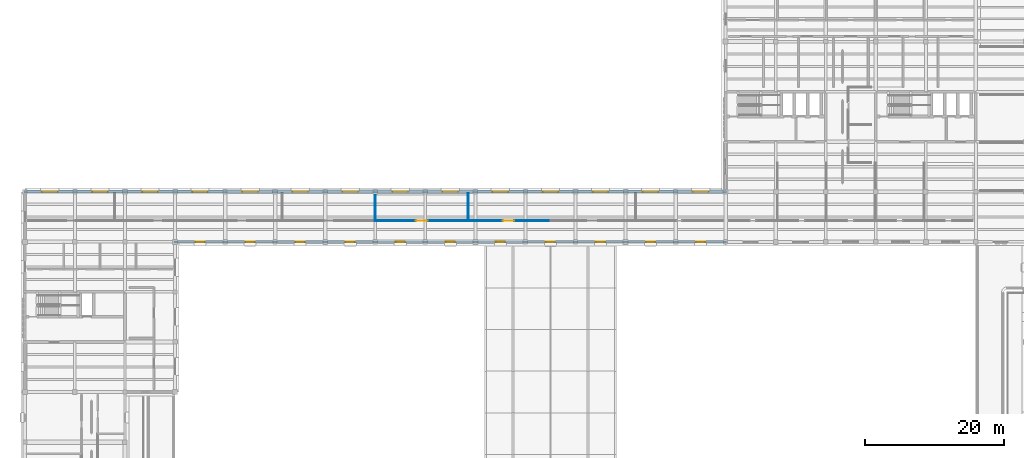
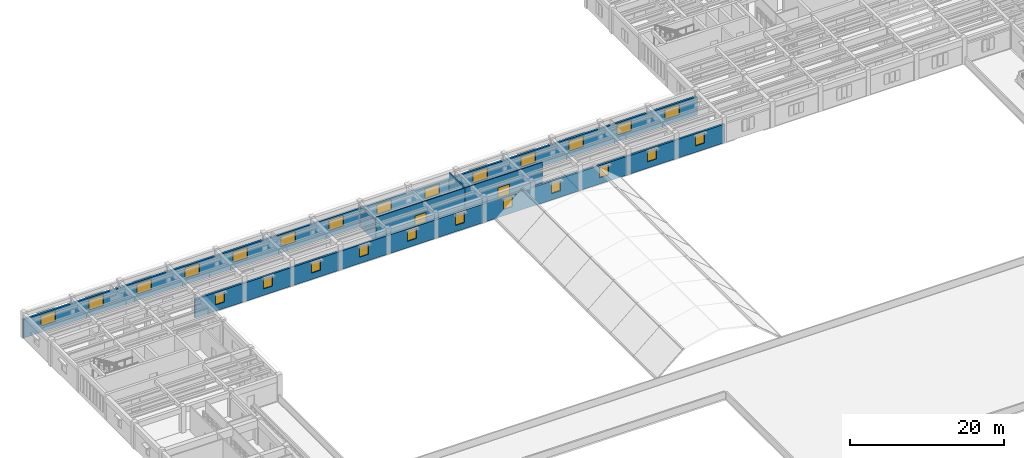
# One storey, part 23 of 40: 25 windows, 6 walls, 2 doors, 27 openings.
"""IFC4 building model written with IfcOpenShell, lengths in metres."""

from ifc_helpers import new_model, si_unit, direction, frame, frame_2d, origin, place, context, subcontext, project, spatial, rectangle, extrude, material, layer, layer_set, type_object, element, fill, save


model = new_model("IFC4")

# Units and contexts
model_context = context("Model", 3, precision=1e-05, world=origin(), true_north=direction((0.0, 1.0)))
body_context = subcontext(model_context, "Body", "Model", "MODEL_VIEW")
ifc_project = project(units=[si_unit("LENGTHUNIT", "METRE"), si_unit("AREAUNIT", "SQUARE_METRE"), si_unit("VOLUMEUNIT", "CUBIC_METRE"), si_unit("PLANEANGLEUNIT", "RADIAN"), si_unit("MASSUNIT", "GRAM", prefix="KILO")], contexts=[model_context])

# Site, building, storey
site_placement = place(None, origin())
site = spatial("IfcSite", under=ifc_project, at=site_placement, CompositionType="ELEMENT")
building_placement = place(site_placement, origin())
building = spatial("IfcBuilding", under=site, at=building_placement, Name="Mithqara Police Headquarters", CompositionType="ELEMENT")
storey_placement = place(building_placement, frame((0.0, 0.0, 13.800048828125)))
storey = spatial("IfcBuildingStorey", under=building, at=storey_placement, Name="L03", CompositionType="ELEMENT", Elevation=13.800048828125)

# Wall, openings, windows
ifc_material_1 = material(Name="Ochre masonry cavity wall, 35 MPa", Category="masonry")
ifc_layer_1 = layer(ifc_material_1, 0.300048828125, Name="Ochre masonry cavity wall, 35 MPa")
ifc_layer_set_1 = layer_set([ifc_layer_1], Name="Ochre masonry cavity wall, 35 MPa")
wall_type_1 = type_object("IfcWallType", Name="EXT WALL OCHRE BRICK300", PredefinedType="SOLIDWALL", material=ifc_layer_set_1)
wall_1_placement = place(storey_placement, frame((29.25, 78.60009765625, 0.0), z_axis=(0.0, 0.0, 1.0), x_axis=(1.0, 0.0, 0.0)))
wall_1 = element("IfcWall", 1, at=wall_1_placement, inside=storey, type_object=wall_type_1, Name="L03 Exterior Wall 5.1", PredefinedType="SOLIDWALL", context=body_context, shape_type="SweptSolid", body=[
    extrude(rectangle(XDim=79.5, YDim=0.300048828125, at=frame_2d((39.75, 0.0))), origin(), (0.0, 0.0, 1.0), 2.93994140625),
])
opening_1_placement = place(wall_1_placement, frame((3.10009765625, 0.0, 1.0)))
opening_1 = element("IfcOpeningElement", 2, at=opening_1_placement, cuts=wall_1, Name="Opening W-17", PredefinedType="OPENING", context=body_context, shape_type="SweptSolid", body=[
    extrude(rectangle(XDim=1.300048828125, YDim=1.64990234375, at=frame_2d((0.64990234375, 0.824951171875))), frame((0.0, 0.16015625, 0.0), z_axis=(0.0, -1.0, 0.0), x_axis=(1.0, 0.0, 0.0)), (0.0, 0.0, 1.0), 0.320068359375),
])
opening_2_placement = place(wall_1_placement, frame((10.300048828125, 0.0, 1.0)))
opening_2 = element("IfcOpeningElement", 3, at=opening_2_placement, cuts=wall_1, Name="Opening W-17", PredefinedType="OPENING", context=body_context, shape_type="SweptSolid", body=[
    extrude(rectangle(XDim=1.300048828125, YDim=1.64990234375, at=frame_2d((0.64990234375, 0.824951171875))), frame((0.0, 0.16015625, 0.0), z_axis=(0.0, -1.0, 0.0), x_axis=(1.0, 0.0, 0.0)), (0.0, 0.0, 1.0), 0.320068359375),
])
opening_3_placement = place(wall_1_placement, frame((17.5, 0.0, 1.0)))
opening_3 = element("IfcOpeningElement", 4, at=opening_3_placement, cuts=wall_1, Name="Opening W-17", PredefinedType="OPENING", context=body_context, shape_type="SweptSolid", body=[
    extrude(rectangle(XDim=1.300048828125, YDim=1.64990234375, at=frame_2d((0.64990234375, 0.824951171875))), frame((0.0, 0.16015625, 0.0), z_axis=(0.0, -1.0, 0.0), x_axis=(1.0, 0.0, 0.0)), (0.0, 0.0, 1.0), 0.320068359375),
])
opening_4_placement = place(wall_1_placement, frame((24.699951171875, 0.0, 1.0)))
opening_4 = element("IfcOpeningElement", 5, at=opening_4_placement, cuts=wall_1, Name="Opening W-17", PredefinedType="OPENING", context=body_context, shape_type="SweptSolid", body=[
    extrude(rectangle(XDim=1.300048828125, YDim=1.64990234375, at=frame_2d((0.64990234375, 0.824951171875))), frame((0.0, 0.16015625, 0.0), z_axis=(0.0, -1.0, 0.0), x_axis=(1.0, 0.0, 0.0)), (0.0, 0.0, 1.0), 0.320068359375),
])
opening_5_placement = place(wall_1_placement, frame((31.89990234375, 0.0, 1.0)))
opening_5 = element("IfcOpeningElement", 6, at=opening_5_placement, cuts=wall_1, Name="Opening W-17", PredefinedType="OPENING", context=body_context, shape_type="SweptSolid", body=[
    extrude(rectangle(XDim=1.300048828125, YDim=1.64990234375, at=frame_2d((0.64990234375, 0.824951171875))), frame((0.0, 0.16015625, 0.0), z_axis=(0.0, -1.0, 0.0), x_axis=(1.0, 0.0, 0.0)), (0.0, 0.0, 1.0), 0.320068359375),
])
opening_6_placement = place(wall_1_placement, frame((39.10009765625, 0.0, 1.0)))
opening_6 = element("IfcOpeningElement", 7, at=opening_6_placement, cuts=wall_1, Name="Opening W-17", PredefinedType="OPENING", context=body_context, shape_type="SweptSolid", body=[
    extrude(rectangle(XDim=1.300048828125, YDim=1.64990234375, at=frame_2d((0.64990234375, 0.824951171875))), frame((0.0, 0.16015625, 0.0), z_axis=(0.0, -1.0, 0.0), x_axis=(1.0, 0.0, 0.0)), (0.0, 0.0, 1.0), 0.320068359375),
])
opening_7_placement = place(wall_1_placement, frame((46.300048828125, 0.0, 1.0)))
opening_7 = element("IfcOpeningElement", 8, at=opening_7_placement, cuts=wall_1, Name="Opening W-17", PredefinedType="OPENING", context=body_context, shape_type="SweptSolid", body=[
    extrude(rectangle(XDim=1.300048828125, YDim=1.64990234375, at=frame_2d((0.64990234375, 0.824951171875))), frame((0.0, 0.16015625, 0.0), z_axis=(0.0, -1.0, 0.0), x_axis=(1.0, 0.0, 0.0)), (0.0, 0.0, 1.0), 0.320068359375),
])
opening_8_placement = place(wall_1_placement, frame((53.5, 0.0, 1.0)))
opening_8 = element("IfcOpeningElement", 9, at=opening_8_placement, cuts=wall_1, Name="Opening W-17", PredefinedType="OPENING", context=body_context, shape_type="SweptSolid", body=[
    extrude(rectangle(XDim=1.300048828125, YDim=1.64990234375, at=frame_2d((0.64990234375, 0.824951171875))), frame((0.0, 0.16015625, 0.0), z_axis=(0.0, -1.0, 0.0), x_axis=(1.0, 0.0, 0.0)), (0.0, 0.0, 1.0), 0.320068359375),
])
opening_9_placement = place(wall_1_placement, frame((60.699951171875, 0.0, 1.0)))
opening_9 = element("IfcOpeningElement", 10, at=opening_9_placement, cuts=wall_1, Name="Opening W-17", PredefinedType="OPENING", context=body_context, shape_type="SweptSolid", body=[
    extrude(rectangle(XDim=1.300048828125, YDim=1.64990234375, at=frame_2d((0.64990234375, 0.824951171875))), frame((0.0, 0.16015625, 0.0), z_axis=(0.0, -1.0, 0.0), x_axis=(1.0, 0.0, 0.0)), (0.0, 0.0, 1.0), 0.320068359375),
])
opening_10_placement = place(wall_1_placement, frame((67.89990234375, 0.0, 1.0)))
opening_10 = element("IfcOpeningElement", 11, at=opening_10_placement, cuts=wall_1, Name="Opening W-17", PredefinedType="OPENING", context=body_context, shape_type="SweptSolid", body=[
    extrude(rectangle(XDim=1.300048828125, YDim=1.64990234375, at=frame_2d((0.64990234375, 0.824951171875))), frame((0.0, 0.16015625, 0.0), z_axis=(0.0, -1.0, 0.0), x_axis=(1.0, 0.0, 0.0)), (0.0, 0.0, 1.0), 0.320068359375),
])
opening_11_placement = place(wall_1_placement, frame((75.10009765625, 0.0, 1.0)))
opening_11 = element("IfcOpeningElement", 12, at=opening_11_placement, cuts=wall_1, Name="Opening W-17", PredefinedType="OPENING", context=body_context, shape_type="SweptSolid", body=[
    extrude(rectangle(XDim=1.300048828125, YDim=1.64990234375, at=frame_2d((0.64990234375, 0.824951171875))), frame((0.0, 0.16015625, 0.0), z_axis=(0.0, -1.0, 0.0), x_axis=(1.0, 0.0, 0.0)), (0.0, 0.0, 1.0), 0.320068359375),
])
ifc_material_2 = material(Name="Spectrally selective double low-e glass", Category="glass")
window_type_1 = type_object("IfcWindowType", Name="WINDOW 1300X1650", PartitioningType="SINGLE_PANEL", PredefinedType="WINDOW", material=ifc_material_2)
window_1_placement = place(opening_1_placement, origin())
window_1 = element("IfcWindow", 13, at=window_1_placement, inside=storey, type_object=window_type_1, Name="L03 Deep-Set Punched Window 5.1", OverallHeight=1.64990234375, OverallWidth=1.300048828125, PartitioningType="SINGLE_PANEL", PredefinedType="WINDOW", context=body_context, shape_type="SweptSolid", body=[
    extrude(rectangle(XDim=1.300048828125, YDim=1.64990234375, at=frame_2d((0.64990234375, 0.824951171875))), frame((0.0, 0.030029296875, 0.0), z_axis=(0.0, -1.0, 0.0), x_axis=(1.0, 0.0, 0.0)), (0.0, 0.0, 1.0), 0.06005859375),
])
fill(opening_1, window_1)
window_2_placement = place(opening_2_placement, origin())
window_2 = element("IfcWindow", 14, at=window_2_placement, inside=storey, type_object=window_type_1, Name="L03 Deep-Set Punched Window 5.2", OverallHeight=1.64990234375, OverallWidth=1.300048828125, PartitioningType="SINGLE_PANEL", PredefinedType="WINDOW", context=body_context, shape_type="SweptSolid", body=[
    extrude(rectangle(XDim=1.300048828125, YDim=1.64990234375, at=frame_2d((0.64990234375, 0.824951171875))), frame((0.0, 0.030029296875, 0.0), z_axis=(0.0, -1.0, 0.0), x_axis=(1.0, 0.0, 0.0)), (0.0, 0.0, 1.0), 0.06005859375),
])
fill(opening_2, window_2)
window_3_placement = place(opening_3_placement, origin())
window_3 = element("IfcWindow", 15, at=window_3_placement, inside=storey, type_object=window_type_1, Name="L03 Deep-Set Punched Window 5.3", OverallHeight=1.64990234375, OverallWidth=1.300048828125, PartitioningType="SINGLE_PANEL", PredefinedType="WINDOW", context=body_context, shape_type="SweptSolid", body=[
    extrude(rectangle(XDim=1.300048828125, YDim=1.64990234375, at=frame_2d((0.64990234375, 0.824951171875))), frame((0.0, 0.030029296875, 0.0), z_axis=(0.0, -1.0, 0.0), x_axis=(1.0, 0.0, 0.0)), (0.0, 0.0, 1.0), 0.06005859375),
])
fill(opening_3, window_3)
window_4_placement = place(opening_4_placement, origin())
window_4 = element("IfcWindow", 16, at=window_4_placement, inside=storey, type_object=window_type_1, Name="L03 Deep-Set Punched Window 5.4", OverallHeight=1.64990234375, OverallWidth=1.300048828125, PartitioningType="SINGLE_PANEL", PredefinedType="WINDOW", context=body_context, shape_type="SweptSolid", body=[
    extrude(rectangle(XDim=1.300048828125, YDim=1.64990234375, at=frame_2d((0.64990234375, 0.824951171875))), frame((0.0, 0.030029296875, 0.0), z_axis=(0.0, -1.0, 0.0), x_axis=(1.0, 0.0, 0.0)), (0.0, 0.0, 1.0), 0.06005859375),
])
fill(opening_4, window_4)
window_5_placement = place(opening_5_placement, origin())
window_5 = element("IfcWindow", 17, at=window_5_placement, inside=storey, type_object=window_type_1, Name="L03 Deep-Set Punched Window 5.5", OverallHeight=1.64990234375, OverallWidth=1.300048828125, PartitioningType="SINGLE_PANEL", PredefinedType="WINDOW", context=body_context, shape_type="SweptSolid", body=[
    extrude(rectangle(XDim=1.300048828125, YDim=1.64990234375, at=frame_2d((0.64990234375, 0.824951171875))), frame((0.0, 0.030029296875, 0.0), z_axis=(0.0, -1.0, 0.0), x_axis=(1.0, 0.0, 0.0)), (0.0, 0.0, 1.0), 0.06005859375),
])
fill(opening_5, window_5)
window_6_placement = place(opening_6_placement, origin())
window_6 = element("IfcWindow", 18, at=window_6_placement, inside=storey, type_object=window_type_1, Name="L03 Deep-Set Punched Window 5.6", OverallHeight=1.64990234375, OverallWidth=1.300048828125, PartitioningType="SINGLE_PANEL", PredefinedType="WINDOW", context=body_context, shape_type="SweptSolid", body=[
    extrude(rectangle(XDim=1.300048828125, YDim=1.64990234375, at=frame_2d((0.64990234375, 0.824951171875))), frame((0.0, 0.030029296875, 0.0), z_axis=(0.0, -1.0, 0.0), x_axis=(1.0, 0.0, 0.0)), (0.0, 0.0, 1.0), 0.06005859375),
])
fill(opening_6, window_6)
window_7_placement = place(opening_7_placement, origin())
window_7 = element("IfcWindow", 19, at=window_7_placement, inside=storey, type_object=window_type_1, Name="L03 Deep-Set Punched Window 5.7", OverallHeight=1.64990234375, OverallWidth=1.300048828125, PartitioningType="SINGLE_PANEL", PredefinedType="WINDOW", context=body_context, shape_type="SweptSolid", body=[
    extrude(rectangle(XDim=1.300048828125, YDim=1.64990234375, at=frame_2d((0.64990234375, 0.824951171875))), frame((0.0, 0.030029296875, 0.0), z_axis=(0.0, -1.0, 0.0), x_axis=(1.0, 0.0, 0.0)), (0.0, 0.0, 1.0), 0.06005859375),
])
fill(opening_7, window_7)
window_8_placement = place(opening_8_placement, origin())
window_8 = element("IfcWindow", 20, at=window_8_placement, inside=storey, type_object=window_type_1, Name="L03 Deep-Set Punched Window 5.8", OverallHeight=1.64990234375, OverallWidth=1.300048828125, PartitioningType="SINGLE_PANEL", PredefinedType="WINDOW", context=body_context, shape_type="SweptSolid", body=[
    extrude(rectangle(XDim=1.300048828125, YDim=1.64990234375, at=frame_2d((0.64990234375, 0.824951171875))), frame((0.0, 0.030029296875, 0.0), z_axis=(0.0, -1.0, 0.0), x_axis=(1.0, 0.0, 0.0)), (0.0, 0.0, 1.0), 0.06005859375),
])
fill(opening_8, window_8)
window_9_placement = place(opening_9_placement, origin())
window_9 = element("IfcWindow", 21, at=window_9_placement, inside=storey, type_object=window_type_1, Name="L03 Deep-Set Punched Window 5.9", OverallHeight=1.64990234375, OverallWidth=1.300048828125, PartitioningType="SINGLE_PANEL", PredefinedType="WINDOW", context=body_context, shape_type="SweptSolid", body=[
    extrude(rectangle(XDim=1.300048828125, YDim=1.64990234375, at=frame_2d((0.64990234375, 0.824951171875))), frame((0.0, 0.030029296875, 0.0), z_axis=(0.0, -1.0, 0.0), x_axis=(1.0, 0.0, 0.0)), (0.0, 0.0, 1.0), 0.06005859375),
])
fill(opening_9, window_9)
window_10_placement = place(opening_10_placement, origin())
window_10 = element("IfcWindow", 22, at=window_10_placement, inside=storey, type_object=window_type_1, Name="L03 Deep-Set Punched Window 5.10", OverallHeight=1.64990234375, OverallWidth=1.300048828125, PartitioningType="SINGLE_PANEL", PredefinedType="WINDOW", context=body_context, shape_type="SweptSolid", body=[
    extrude(rectangle(XDim=1.300048828125, YDim=1.64990234375, at=frame_2d((0.64990234375, 0.824951171875))), frame((0.0, 0.030029296875, 0.0), z_axis=(0.0, -1.0, 0.0), x_axis=(1.0, 0.0, 0.0)), (0.0, 0.0, 1.0), 0.06005859375),
])
fill(opening_10, window_10)
window_11_placement = place(opening_11_placement, origin())
window_11 = element("IfcWindow", 23, at=window_11_placement, inside=storey, type_object=window_type_1, Name="L03 Deep-Set Punched Window 5.11", OverallHeight=1.64990234375, OverallWidth=1.300048828125, PartitioningType="SINGLE_PANEL", PredefinedType="WINDOW", context=body_context, shape_type="SweptSolid", body=[
    extrude(rectangle(XDim=1.300048828125, YDim=1.64990234375, at=frame_2d((0.64990234375, 0.824951171875))), frame((0.0, 0.030029296875, 0.0), z_axis=(0.0, -1.0, 0.0), x_axis=(1.0, 0.0, 0.0)), (0.0, 0.0, 1.0), 0.06005859375),
])
fill(opening_11, window_11)

wall_2_placement = place(storey_placement, frame((108.75, 85.800048828125, 0.0), z_axis=(0.0, 0.0, 1.0), x_axis=(-1.0, 0.0, 0.0)))
wall_2 = element("IfcWall", 24, at=wall_2_placement, inside=storey, type_object=wall_type_1, Name="L03 Exterior Wall 15.1", PredefinedType="SOLIDWALL", context=body_context, shape_type="SweptSolid", body=[
    extrude(rectangle(XDim=101.10009765625, YDim=0.300048828125, at=frame_2d((50.550048828125, 0.0))), origin(), (0.0, 0.0, 1.0), 2.93994140625),
])
opening_12_placement = place(wall_2_placement, frame((96.25, 0.0, 1.0)))
opening_12 = element("IfcOpeningElement", 25, at=opening_12_placement, cuts=wall_2, Name="Opening W-42", PredefinedType="OPENING", context=body_context, shape_type="SweptSolid", body=[
    extrude(rectangle(XDim=2.199951171875, YDim=1.64990234375, at=frame_2d((1.10009765625, 0.824951171875))), frame((0.0, 0.16015625, 0.0), z_axis=(0.0, -1.0, 0.0), x_axis=(1.0, 0.0, 0.0)), (0.0, 0.0, 1.0), 0.320068359375),
])
opening_13_placement = place(wall_2_placement, frame((89.050048828125, 0.0, 1.0)))
opening_13 = element("IfcOpeningElement", 26, at=opening_13_placement, cuts=wall_2, Name="Opening W-42", PredefinedType="OPENING", context=body_context, shape_type="SweptSolid", body=[
    extrude(rectangle(XDim=2.199951171875, YDim=1.64990234375, at=frame_2d((1.10009765625, 0.824951171875))), frame((0.0, 0.16015625, 0.0), z_axis=(0.0, -1.0, 0.0), x_axis=(1.0, 0.0, 0.0)), (0.0, 0.0, 1.0), 0.320068359375),
])
opening_14_placement = place(wall_2_placement, frame((81.85009765625, 0.0, 1.0)))
opening_14 = element("IfcOpeningElement", 27, at=opening_14_placement, cuts=wall_2, Name="Opening W-42", PredefinedType="OPENING", context=body_context, shape_type="SweptSolid", body=[
    extrude(rectangle(XDim=2.199951171875, YDim=1.64990234375, at=frame_2d((1.10009765625, 0.824951171875))), frame((0.0, 0.16015625, 0.0), z_axis=(0.0, -1.0, 0.0), x_axis=(1.0, 0.0, 0.0)), (0.0, 0.0, 1.0), 0.320068359375),
])
opening_15_placement = place(wall_2_placement, frame((74.64990234375, 0.0, 1.0)))
opening_15 = element("IfcOpeningElement", 28, at=opening_15_placement, cuts=wall_2, Name="Opening W-42", PredefinedType="OPENING", context=body_context, shape_type="SweptSolid", body=[
    extrude(rectangle(XDim=2.199951171875, YDim=1.64990234375, at=frame_2d((1.10009765625, 0.824951171875))), frame((0.0, 0.16015625, 0.0), z_axis=(0.0, -1.0, 0.0), x_axis=(1.0, 0.0, 0.0)), (0.0, 0.0, 1.0), 0.320068359375),
])
opening_16_placement = place(wall_2_placement, frame((67.449951171875, 0.0, 1.0)))
opening_16 = element("IfcOpeningElement", 29, at=opening_16_placement, cuts=wall_2, Name="Opening W-42", PredefinedType="OPENING", context=body_context, shape_type="SweptSolid", body=[
    extrude(rectangle(XDim=2.199951171875, YDim=1.64990234375, at=frame_2d((1.10009765625, 0.824951171875))), frame((0.0, 0.16015625, 0.0), z_axis=(0.0, -1.0, 0.0), x_axis=(1.0, 0.0, 0.0)), (0.0, 0.0, 1.0), 0.320068359375),
])
opening_17_placement = place(wall_2_placement, frame((60.25, 0.0, 1.0)))
opening_17 = element("IfcOpeningElement", 30, at=opening_17_placement, cuts=wall_2, Name="Opening W-42", PredefinedType="OPENING", context=body_context, shape_type="SweptSolid", body=[
    extrude(rectangle(XDim=2.199951171875, YDim=1.64990234375, at=frame_2d((1.10009765625, 0.824951171875))), frame((0.0, 0.16015625, 0.0), z_axis=(0.0, -1.0, 0.0), x_axis=(1.0, 0.0, 0.0)), (0.0, 0.0, 1.0), 0.320068359375),
])
opening_18_placement = place(wall_2_placement, frame((53.050048828125, 0.0, 1.0)))
opening_18 = element("IfcOpeningElement", 31, at=opening_18_placement, cuts=wall_2, Name="Opening W-42", PredefinedType="OPENING", context=body_context, shape_type="SweptSolid", body=[
    extrude(rectangle(XDim=2.199951171875, YDim=1.64990234375, at=frame_2d((1.10009765625, 0.824951171875))), frame((0.0, 0.16015625, 0.0), z_axis=(0.0, -1.0, 0.0), x_axis=(1.0, 0.0, 0.0)), (0.0, 0.0, 1.0), 0.320068359375),
])
opening_19_placement = place(wall_2_placement, frame((45.85009765625, 0.0, 1.0)))
opening_19 = element("IfcOpeningElement", 32, at=opening_19_placement, cuts=wall_2, Name="Opening W-42", PredefinedType="OPENING", context=body_context, shape_type="SweptSolid", body=[
    extrude(rectangle(XDim=2.199951171875, YDim=1.64990234375, at=frame_2d((1.10009765625, 0.824951171875))), frame((0.0, 0.16015625, 0.0), z_axis=(0.0, -1.0, 0.0), x_axis=(1.0, 0.0, 0.0)), (0.0, 0.0, 1.0), 0.320068359375),
])
opening_20_placement = place(wall_2_placement, frame((38.64990234375, 0.0, 1.0)))
opening_20 = element("IfcOpeningElement", 33, at=opening_20_placement, cuts=wall_2, Name="Opening W-42", PredefinedType="OPENING", context=body_context, shape_type="SweptSolid", body=[
    extrude(rectangle(XDim=2.199951171875, YDim=1.64990234375, at=frame_2d((1.10009765625, 0.824951171875))), frame((0.0, 0.16015625, 0.0), z_axis=(0.0, -1.0, 0.0), x_axis=(1.0, 0.0, 0.0)), (0.0, 0.0, 1.0), 0.320068359375),
])
opening_21_placement = place(wall_2_placement, frame((31.449951171875, 0.0, 1.0)))
opening_21 = element("IfcOpeningElement", 34, at=opening_21_placement, cuts=wall_2, Name="Opening W-42", PredefinedType="OPENING", context=body_context, shape_type="SweptSolid", body=[
    extrude(rectangle(XDim=2.199951171875, YDim=1.64990234375, at=frame_2d((1.10009765625, 0.824951171875))), frame((0.0, 0.16015625, 0.0), z_axis=(0.0, -1.0, 0.0), x_axis=(1.0, 0.0, 0.0)), (0.0, 0.0, 1.0), 0.320068359375),
])
opening_22_placement = place(wall_2_placement, frame((24.25, 0.0, 1.0)))
opening_22 = element("IfcOpeningElement", 35, at=opening_22_placement, cuts=wall_2, Name="Opening W-42", PredefinedType="OPENING", context=body_context, shape_type="SweptSolid", body=[
    extrude(rectangle(XDim=2.199951171875, YDim=1.64990234375, at=frame_2d((1.10009765625, 0.824951171875))), frame((0.0, 0.16015625, 0.0), z_axis=(0.0, -1.0, 0.0), x_axis=(1.0, 0.0, 0.0)), (0.0, 0.0, 1.0), 0.320068359375),
])
opening_23_placement = place(wall_2_placement, frame((17.050048828125, 0.0, 1.0)))
opening_23 = element("IfcOpeningElement", 36, at=opening_23_placement, cuts=wall_2, Name="Opening W-42", PredefinedType="OPENING", context=body_context, shape_type="SweptSolid", body=[
    extrude(rectangle(XDim=2.199951171875, YDim=1.64990234375, at=frame_2d((1.10009765625, 0.824951171875))), frame((0.0, 0.16015625, 0.0), z_axis=(0.0, -1.0, 0.0), x_axis=(1.0, 0.0, 0.0)), (0.0, 0.0, 1.0), 0.320068359375),
])
opening_24_placement = place(wall_2_placement, frame((9.85009765625, 0.0, 1.0)))
opening_24 = element("IfcOpeningElement", 37, at=opening_24_placement, cuts=wall_2, Name="Opening W-42", PredefinedType="OPENING", context=body_context, shape_type="SweptSolid", body=[
    extrude(rectangle(XDim=2.199951171875, YDim=1.64990234375, at=frame_2d((1.10009765625, 0.824951171875))), frame((0.0, 0.16015625, 0.0), z_axis=(0.0, -1.0, 0.0), x_axis=(1.0, 0.0, 0.0)), (0.0, 0.0, 1.0), 0.320068359375),
])
opening_25_placement = place(wall_2_placement, frame((2.64990234375, 0.0, 1.0)))
opening_25 = element("IfcOpeningElement", 38, at=opening_25_placement, cuts=wall_2, Name="Opening W-42", PredefinedType="OPENING", context=body_context, shape_type="SweptSolid", body=[
    extrude(rectangle(XDim=2.199951171875, YDim=1.64990234375, at=frame_2d((1.10009765625, 0.824951171875))), frame((0.0, 0.16015625, 0.0), z_axis=(0.0, -1.0, 0.0), x_axis=(1.0, 0.0, 0.0)), (0.0, 0.0, 1.0), 0.320068359375),
])
window_type_2 = type_object("IfcWindowType", Name="WINDOW 2200X1650", PartitioningType="DOUBLE_PANEL_VERTICAL", PredefinedType="WINDOW", material=ifc_material_2)
window_12_placement = place(opening_12_placement, origin())
window_12 = element("IfcWindow", 39, at=window_12_placement, inside=storey, type_object=window_type_2, Name="L03 Deep-Set Punched Window 15.1", OverallHeight=1.64990234375, OverallWidth=2.199951171875, PartitioningType="SINGLE_PANEL", PredefinedType="WINDOW", context=body_context, shape_type="SweptSolid", body=[
    extrude(rectangle(XDim=2.199951171875, YDim=1.64990234375, at=frame_2d((1.10009765625, 0.824951171875))), frame((0.0, 0.030029296875, 0.0), z_axis=(0.0, -1.0, 0.0), x_axis=(1.0, 0.0, 0.0)), (0.0, 0.0, 1.0), 0.06005859375),
])
fill(opening_12, window_12)
window_13_placement = place(opening_13_placement, origin())
window_13 = element("IfcWindow", 40, at=window_13_placement, inside=storey, type_object=window_type_2, Name="L03 Deep-Set Punched Window 15.2", OverallHeight=1.64990234375, OverallWidth=2.199951171875, PartitioningType="SINGLE_PANEL", PredefinedType="WINDOW", context=body_context, shape_type="SweptSolid", body=[
    extrude(rectangle(XDim=2.199951171875, YDim=1.64990234375, at=frame_2d((1.10009765625, 0.824951171875))), frame((0.0, 0.030029296875, 0.0), z_axis=(0.0, -1.0, 0.0), x_axis=(1.0, 0.0, 0.0)), (0.0, 0.0, 1.0), 0.06005859375),
])
fill(opening_13, window_13)
window_14_placement = place(opening_14_placement, origin())
window_14 = element("IfcWindow", 41, at=window_14_placement, inside=storey, type_object=window_type_2, Name="L03 Deep-Set Punched Window 15.3", OverallHeight=1.64990234375, OverallWidth=2.199951171875, PartitioningType="SINGLE_PANEL", PredefinedType="WINDOW", context=body_context, shape_type="SweptSolid", body=[
    extrude(rectangle(XDim=2.199951171875, YDim=1.64990234375, at=frame_2d((1.10009765625, 0.824951171875))), frame((0.0, 0.030029296875, 0.0), z_axis=(0.0, -1.0, 0.0), x_axis=(1.0, 0.0, 0.0)), (0.0, 0.0, 1.0), 0.06005859375),
])
fill(opening_14, window_14)
window_15_placement = place(opening_15_placement, origin())
window_15 = element("IfcWindow", 42, at=window_15_placement, inside=storey, type_object=window_type_2, Name="L03 Deep-Set Punched Window 15.4", OverallHeight=1.64990234375, OverallWidth=2.199951171875, PartitioningType="SINGLE_PANEL", PredefinedType="WINDOW", context=body_context, shape_type="SweptSolid", body=[
    extrude(rectangle(XDim=2.199951171875, YDim=1.64990234375, at=frame_2d((1.10009765625, 0.824951171875))), frame((0.0, 0.030029296875, 0.0), z_axis=(0.0, -1.0, 0.0), x_axis=(1.0, 0.0, 0.0)), (0.0, 0.0, 1.0), 0.06005859375),
])
fill(opening_15, window_15)
window_16_placement = place(opening_16_placement, origin())
window_16 = element("IfcWindow", 43, at=window_16_placement, inside=storey, type_object=window_type_2, Name="L03 Deep-Set Punched Window 15.5", OverallHeight=1.64990234375, OverallWidth=2.199951171875, PartitioningType="SINGLE_PANEL", PredefinedType="WINDOW", context=body_context, shape_type="SweptSolid", body=[
    extrude(rectangle(XDim=2.199951171875, YDim=1.64990234375, at=frame_2d((1.10009765625, 0.824951171875))), frame((0.0, 0.030029296875, 0.0), z_axis=(0.0, -1.0, 0.0), x_axis=(1.0, 0.0, 0.0)), (0.0, 0.0, 1.0), 0.06005859375),
])
fill(opening_16, window_16)
window_17_placement = place(opening_17_placement, origin())
window_17 = element("IfcWindow", 44, at=window_17_placement, inside=storey, type_object=window_type_2, Name="L03 Deep-Set Punched Window 15.6", OverallHeight=1.64990234375, OverallWidth=2.199951171875, PartitioningType="SINGLE_PANEL", PredefinedType="WINDOW", context=body_context, shape_type="SweptSolid", body=[
    extrude(rectangle(XDim=2.199951171875, YDim=1.64990234375, at=frame_2d((1.10009765625, 0.824951171875))), frame((0.0, 0.030029296875, 0.0), z_axis=(0.0, -1.0, 0.0), x_axis=(1.0, 0.0, 0.0)), (0.0, 0.0, 1.0), 0.06005859375),
])
fill(opening_17, window_17)
window_18_placement = place(opening_18_placement, origin())
window_18 = element("IfcWindow", 45, at=window_18_placement, inside=storey, type_object=window_type_2, Name="L03 Deep-Set Punched Window 15.7", OverallHeight=1.64990234375, OverallWidth=2.199951171875, PartitioningType="SINGLE_PANEL", PredefinedType="WINDOW", context=body_context, shape_type="SweptSolid", body=[
    extrude(rectangle(XDim=2.199951171875, YDim=1.64990234375, at=frame_2d((1.10009765625, 0.824951171875))), frame((0.0, 0.030029296875, 0.0), z_axis=(0.0, -1.0, 0.0), x_axis=(1.0, 0.0, 0.0)), (0.0, 0.0, 1.0), 0.06005859375),
])
fill(opening_18, window_18)
window_19_placement = place(opening_19_placement, origin())
window_19 = element("IfcWindow", 46, at=window_19_placement, inside=storey, type_object=window_type_2, Name="L03 Deep-Set Punched Window 15.8", OverallHeight=1.64990234375, OverallWidth=2.199951171875, PartitioningType="SINGLE_PANEL", PredefinedType="WINDOW", context=body_context, shape_type="SweptSolid", body=[
    extrude(rectangle(XDim=2.199951171875, YDim=1.64990234375, at=frame_2d((1.10009765625, 0.824951171875))), frame((0.0, 0.030029296875, 0.0), z_axis=(0.0, -1.0, 0.0), x_axis=(1.0, 0.0, 0.0)), (0.0, 0.0, 1.0), 0.06005859375),
])
fill(opening_19, window_19)
window_20_placement = place(opening_20_placement, origin())
window_20 = element("IfcWindow", 47, at=window_20_placement, inside=storey, type_object=window_type_2, Name="L03 Deep-Set Punched Window 15.9", OverallHeight=1.64990234375, OverallWidth=2.199951171875, PartitioningType="SINGLE_PANEL", PredefinedType="WINDOW", context=body_context, shape_type="SweptSolid", body=[
    extrude(rectangle(XDim=2.199951171875, YDim=1.64990234375, at=frame_2d((1.10009765625, 0.824951171875))), frame((0.0, 0.030029296875, 0.0), z_axis=(0.0, -1.0, 0.0), x_axis=(1.0, 0.0, 0.0)), (0.0, 0.0, 1.0), 0.06005859375),
])
fill(opening_20, window_20)
window_21_placement = place(opening_21_placement, origin())
window_21 = element("IfcWindow", 48, at=window_21_placement, inside=storey, type_object=window_type_2, Name="L03 Deep-Set Punched Window 15.10", OverallHeight=1.64990234375, OverallWidth=2.199951171875, PartitioningType="SINGLE_PANEL", PredefinedType="WINDOW", context=body_context, shape_type="SweptSolid", body=[
    extrude(rectangle(XDim=2.199951171875, YDim=1.64990234375, at=frame_2d((1.10009765625, 0.824951171875))), frame((0.0, 0.030029296875, 0.0), z_axis=(0.0, -1.0, 0.0), x_axis=(1.0, 0.0, 0.0)), (0.0, 0.0, 1.0), 0.06005859375),
])
fill(opening_21, window_21)
window_22_placement = place(opening_22_placement, origin())
window_22 = element("IfcWindow", 49, at=window_22_placement, inside=storey, type_object=window_type_2, Name="L03 Deep-Set Punched Window 15.11", OverallHeight=1.64990234375, OverallWidth=2.199951171875, PartitioningType="SINGLE_PANEL", PredefinedType="WINDOW", context=body_context, shape_type="SweptSolid", body=[
    extrude(rectangle(XDim=2.199951171875, YDim=1.64990234375, at=frame_2d((1.10009765625, 0.824951171875))), frame((0.0, 0.030029296875, 0.0), z_axis=(0.0, -1.0, 0.0), x_axis=(1.0, 0.0, 0.0)), (0.0, 0.0, 1.0), 0.06005859375),
])
fill(opening_22, window_22)
window_23_placement = place(opening_23_placement, origin())
window_23 = element("IfcWindow", 50, at=window_23_placement, inside=storey, type_object=window_type_2, Name="L03 Deep-Set Punched Window 15.12", OverallHeight=1.64990234375, OverallWidth=2.199951171875, PartitioningType="SINGLE_PANEL", PredefinedType="WINDOW", context=body_context, shape_type="SweptSolid", body=[
    extrude(rectangle(XDim=2.199951171875, YDim=1.64990234375, at=frame_2d((1.10009765625, 0.824951171875))), frame((0.0, 0.030029296875, 0.0), z_axis=(0.0, -1.0, 0.0), x_axis=(1.0, 0.0, 0.0)), (0.0, 0.0, 1.0), 0.06005859375),
])
fill(opening_23, window_23)
window_24_placement = place(opening_24_placement, origin())
window_24 = element("IfcWindow", 51, at=window_24_placement, inside=storey, type_object=window_type_2, Name="L03 Deep-Set Punched Window 15.13", OverallHeight=1.64990234375, OverallWidth=2.199951171875, PartitioningType="SINGLE_PANEL", PredefinedType="WINDOW", context=body_context, shape_type="SweptSolid", body=[
    extrude(rectangle(XDim=2.199951171875, YDim=1.64990234375, at=frame_2d((1.10009765625, 0.824951171875))), frame((0.0, 0.030029296875, 0.0), z_axis=(0.0, -1.0, 0.0), x_axis=(1.0, 0.0, 0.0)), (0.0, 0.0, 1.0), 0.06005859375),
])
fill(opening_24, window_24)
window_25_placement = place(opening_25_placement, origin())
window_25 = element("IfcWindow", 52, at=window_25_placement, inside=storey, type_object=window_type_2, Name="L03 Deep-Set Punched Window 15.14", OverallHeight=1.64990234375, OverallWidth=2.199951171875, PartitioningType="SINGLE_PANEL", PredefinedType="WINDOW", context=body_context, shape_type="SweptSolid", body=[
    extrude(rectangle(XDim=2.199951171875, YDim=1.64990234375, at=frame_2d((1.10009765625, 0.824951171875))), frame((0.0, 0.030029296875, 0.0), z_axis=(0.0, -1.0, 0.0), x_axis=(1.0, 0.0, 0.0)), (0.0, 0.0, 1.0), 0.06005859375),
])
fill(opening_25, window_25)

# Wall
ifc_material_3 = material(Name="Gypsum acoustic stud partition", Category="gypsum")
ifc_layer_2 = layer(ifc_material_3, 0.139892578125, Name="Gypsum acoustic stud partition")
ifc_layer_set_2 = layer_set([ifc_layer_2], Name="Gypsum acoustic stud partition")
wall_type_2 = type_object("IfcWallType", Name="PART WALL 140", PredefinedType="PARTITIONING", material=ifc_layer_set_2)
wall_3_placement = place(storey_placement, frame((58.199951171875, 81.639892578125, 0.0), z_axis=(0.0, 0.0, 1.0), x_axis=(0.0, 1.0, 0.0)))
element("IfcWall", 53, at=wall_3_placement, inside=storey, type_object=wall_type_2, Name="L03 Room Partition Tactical Classroom", PredefinedType="PARTITIONING", context=body_context, shape_type="SweptSolid", body=[
    extrude(rectangle(XDim=3.980224609375, YDim=0.139892578125, at=frame_2d((1.990234375, 0.0))), origin(), (0.0, 0.0, 1.0), 3.389892578125),
])

# Wall, opening, door
wall_4_placement = place(storey_placement, frame((58.199951171875, 81.639892578125, 0.0), z_axis=(0.0, 0.0, 1.0), x_axis=(1.0, 0.0, 0.0)))
wall_4 = element("IfcWall", 54, at=wall_4_placement, inside=storey, type_object=wall_type_2, Name="L03 Corridor Wall Instructor Preparation Room", PredefinedType="PARTITIONING", context=body_context, shape_type="SweptSolid", body=[
    extrude(rectangle(XDim=13.344970703125, YDim=0.139892578125, at=frame_2d((6.67236328125, 0.0))), origin(), (0.0, 0.0, 1.0), 3.93994140625),
])
opening_26_placement = place(wall_4_placement, frame((5.8125, 0.0, 0.0)))
opening_26 = element("IfcOpeningElement", 55, at=opening_26_placement, cuts=wall_4, Name="Opening D-22", PredefinedType="OPENING", context=body_context, shape_type="SweptSolid", body=[
    extrude(rectangle(XDim=1.719970703125, YDim=2.10009765625, at=frame_2d((0.85986328125, 1.050048828125))), frame((0.0, 0.080078125, 0.0), z_axis=(0.0, -1.0, 0.0), x_axis=(1.0, 0.0, 0.0)), (0.0, 0.0, 1.0), 0.159912109375),
])
ifc_material_4 = material(Name="Bronze anodised aluminium 6063-T6", Category="aluminium")
door_type_1 = type_object("IfcDoorType", Name="INT DOOR 1720X2100", OperationType="NOTDEFINED", PredefinedType="DOOR", material=ifc_material_4)
door_1_placement = place(opening_26_placement, origin())
door_1 = element("IfcDoor", 56, at=door_1_placement, inside=storey, type_object=door_type_1, Name="Instructor Preparation Room Entry Door", OperationType="DOUBLE_DOOR_SINGLE_SWING", OverallHeight=2.10009765625, OverallWidth=1.719970703125, PredefinedType="DOOR", context=body_context, shape_type="SweptSolid", body=[
    extrude(rectangle(XDim=1.719970703125, YDim=2.10009765625, at=frame_2d((0.85986328125, 1.050048828125))), frame((0.0, 0.02490234375, 0.0), z_axis=(0.0, -1.0, 0.0), x_axis=(1.0, 0.0, 0.0)), (0.0, 0.0, 1.0), 0.050048828125),
])
fill(opening_26, door_1)

# Wall
wall_5_placement = place(storey_placement, frame((71.544921875, 81.639892578125, 0.0), z_axis=(0.0, 0.0, 1.0), x_axis=(0.0, 1.0, 0.0)))
element("IfcWall", 57, at=wall_5_placement, inside=storey, type_object=wall_type_2, Name="L03 Room Partition Instructor Preparation Room", PredefinedType="PARTITIONING", context=body_context, shape_type="SweptSolid", body=[
    extrude(rectangle(XDim=3.980224609375, YDim=0.139892578125, at=frame_2d((1.990234375, 0.0))), origin(), (0.0, 0.0, 1.0), 3.93994140625),
])

# Wall, opening, door
wall_6_placement = place(storey_placement, frame((71.544921875, 81.639892578125, 0.0), z_axis=(0.0, 0.0, 1.0), x_axis=(1.0, 0.0, 0.0)))
wall_6 = element("IfcWall", 58, at=wall_6_placement, inside=storey, type_object=wall_type_2, Name="L03 Corridor Wall Training Library", PredefinedType="PARTITIONING", context=body_context, shape_type="SweptSolid", body=[
    extrude(rectangle(XDim=11.64501953125, YDim=0.139892578125, at=frame_2d((5.822509765625, 0.0))), origin(), (0.0, 0.0, 1.0), 3.93994140625),
])
opening_27_placement = place(wall_6_placement, frame((4.96240234375, 0.0, 0.0)))
opening_27 = element("IfcOpeningElement", 59, at=opening_27_placement, cuts=wall_6, Name="Opening D-23", PredefinedType="OPENING", context=body_context, shape_type="SweptSolid", body=[
    extrude(rectangle(XDim=1.719970703125, YDim=2.219970703125, at=frame_2d((0.85986328125, 1.10986328125))), frame((0.0, 0.080078125, 0.0), z_axis=(0.0, -1.0, 0.0), x_axis=(1.0, 0.0, 0.0)), (0.0, 0.0, 1.0), 0.159912109375),
])
door_type_2 = type_object("IfcDoorType", Name="INT DOOR 1720X2220", OperationType="NOTDEFINED", PredefinedType="DOOR", material=ifc_material_4)
door_2_placement = place(opening_27_placement, origin())
door_2 = element("IfcDoor", 60, at=door_2_placement, inside=storey, type_object=door_type_2, Name="Training Library Entry Door", OperationType="DOUBLE_DOOR_SINGLE_SWING", OverallHeight=2.219970703125, OverallWidth=1.719970703125, PredefinedType="DOOR", context=body_context, shape_type="SweptSolid", body=[
    extrude(rectangle(XDim=1.719970703125, YDim=2.219970703125, at=frame_2d((0.85986328125, 1.10986328125))), frame((0.0, 0.02490234375, 0.0), z_axis=(0.0, -1.0, 0.0), x_axis=(1.0, 0.0, 0.0)), (0.0, 0.0, 1.0), 0.050048828125),
])
fill(opening_27, door_2)

save(model, "model.ifc")
